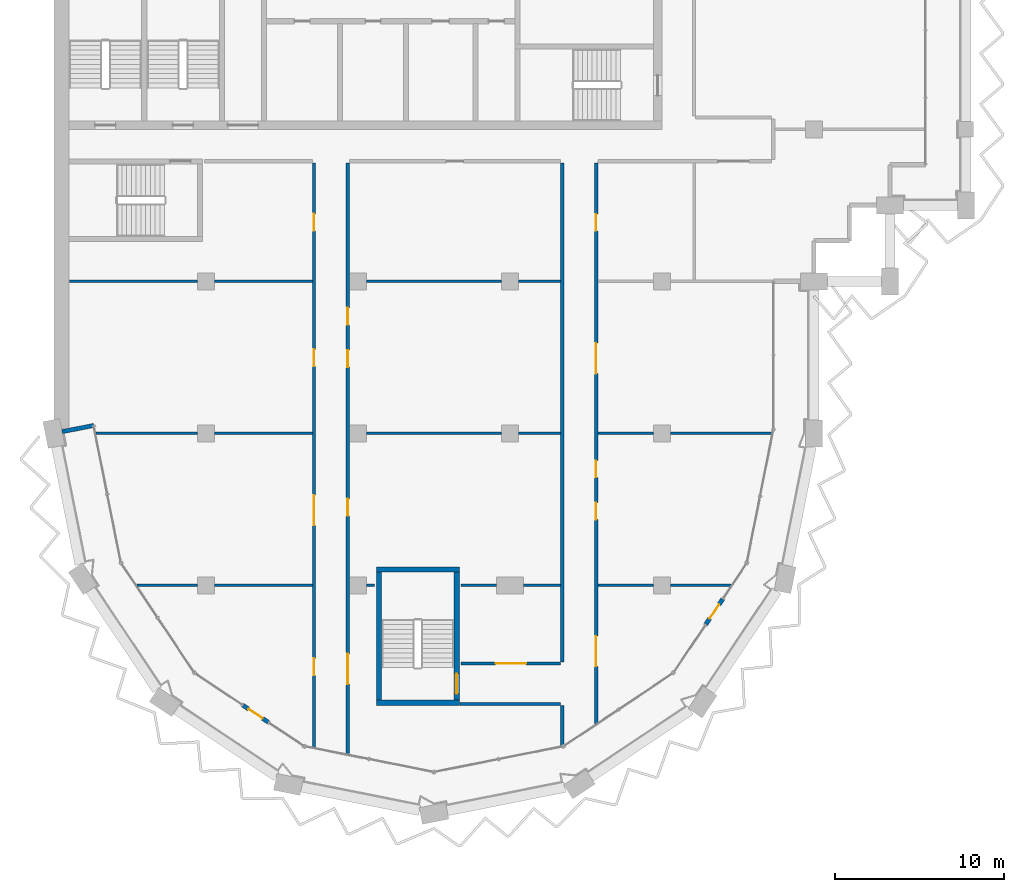
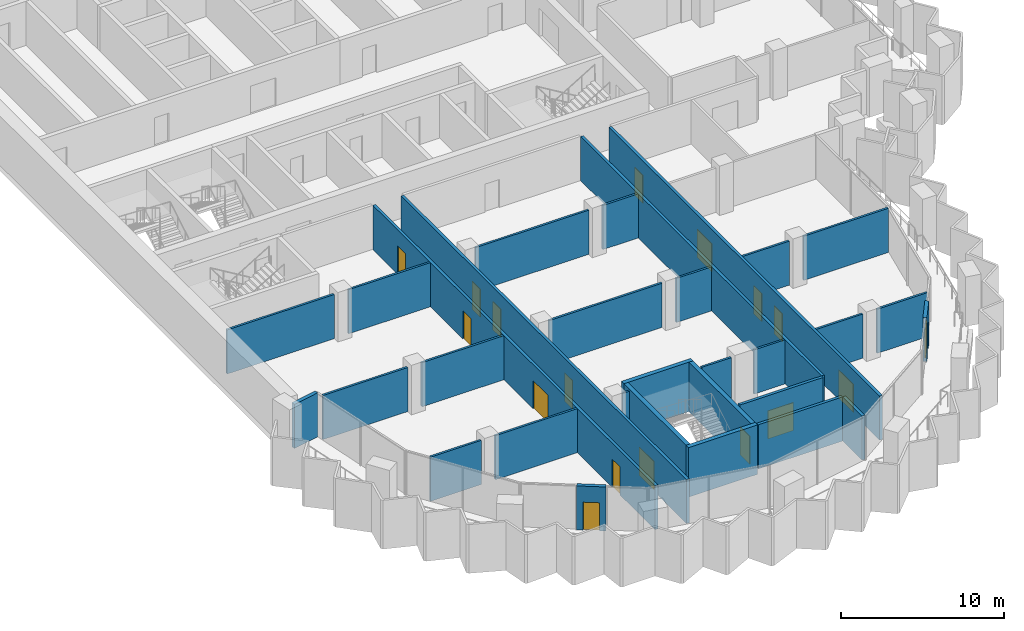
# One storey, part 7 of 16: 31 walls, 17 doors, 17 openings.
"""IFC4 building model written with IfcOpenShell, lengths in metres."""

from ifc_helpers import new_model, si_unit, direction, frame, frame_2d, origin, place, context, subcontext, project, spatial, rectangle, extrude, material, layer, layer_set, type_object, element, fill, save


model = new_model("IFC4")

# Units and contexts
model_context = context("Model", 3, precision=1e-05, world=origin(), true_north=direction((0.0, 1.0)))
body_context = subcontext(model_context, "Body", "Model", "MODEL_VIEW")
ifc_project = project(units=[si_unit("LENGTHUNIT", "METRE"), si_unit("AREAUNIT", "SQUARE_METRE"), si_unit("VOLUMEUNIT", "CUBIC_METRE"), si_unit("PLANEANGLEUNIT", "RADIAN"), si_unit("MASSUNIT", "GRAM", prefix="KILO")], contexts=[model_context])

# Site, building, storey
site_placement = place(None, origin())
site = spatial("IfcSite", under=ifc_project, at=site_placement, CompositionType="ELEMENT")
building_placement = place(site_placement, origin())
building = spatial("IfcBuilding", under=site, at=building_placement, Name="Hunhe Ridgeline Campus", CompositionType="ELEMENT")
storey_placement = place(building_placement, frame((0.0, 0.0, 250.300048828125)))
storey = spatial("IfcBuildingStorey", under=building, at=storey_placement, Name="L64", CompositionType="ELEMENT", Elevation=250.300048828125)

# Walls
ifc_material_1 = material(Name="Concrete C30", Category="concrete")
ifc_layer_1 = layer(ifc_material_1, 0.25)
ifc_layer_set_1 = layer_set([ifc_layer_1], Name="Corner return wall 250 Concrete C30")
wall_type_1 = type_object("IfcWallType", Name="Corner return wall 250 Concrete C30", PredefinedType="SOLIDWALL", material=ifc_layer_set_1)
wall_1_placement = place(storey_placement, frame((0.490234375, 45.098388671875, 0.0), z_axis=(0.0, 0.0, 1.0), x_axis=(0.980836699013, 0.194831644939, 0.0)))
element("IfcWall", 1, at=wall_1_placement, inside=storey, type_object=wall_type_1, Name="Corner return wall 1", PredefinedType="SOLIDWALL", context=body_context, shape_type="SweptSolid", body=[
    extrude(rectangle(XDim=1.90087890625, YDim=0.25, at=frame_2d((0.950439453125, 0.0))), origin(), (0.0, 0.0, 1.0), 3.300048828125),
])
ifc_material_2 = material(Name="Gypsum board partition")
ifc_layer_2 = layer(ifc_material_2, 0.199951171875)
ifc_layer_set_2 = layer_set([ifc_layer_2], Name="Corridor partition 200 gypsum board on steel studs")
wall_type_2 = type_object("IfcWallType", Name="Corridor partition 200 gypsum board on steel studs", PredefinedType="PARTITIONING", material=ifc_layer_set_2)
wall_2_placement = place(storey_placement, frame((30.0, 28.97509765625, 0.0), z_axis=(0.0, 0.0, 1.0), x_axis=(-1.0, 0.0, 0.0)))
element("IfcWall", 2, at=wall_2_placement, inside=storey, type_object=wall_type_2, Name="F-L64-wall-001", PredefinedType="PARTITIONING", context=body_context, shape_type="SweptSolid", body=[
    extrude(rectangle(XDim=5.969970703125, YDim=0.199951171875, at=frame_2d((2.98486328125, 0.0))), origin(), (0.0, 0.0, 1.0), 3.300048828125),
])

# Wall, opening, door
wall_3_placement = place(storey_placement, frame((24.10400390625, 31.375, 0.0), z_axis=(0.0, 0.0, 1.0), x_axis=(1.0, 0.0, 0.0)))
wall_3 = element("IfcWall", 3, at=wall_3_placement, inside=storey, type_object=wall_type_2, Name="F-L64-wall-002", PredefinedType="PARTITIONING", context=body_context, shape_type="SweptSolid", body=[
    extrude(rectangle(XDim=5.89599609375, YDim=0.199951171875, at=frame_2d((2.947998046875, 0.0))), origin(), (0.0, 0.0, 1.0), 3.300048828125),
])
opening_1_placement = place(wall_3_placement, frame((2.048095703125, 0.0, 0.0)))
opening_1 = element("IfcOpeningElement", 4, at=opening_1_placement, cuts=wall_3, Name="Opening RD2-003", PredefinedType="OPENING", context=body_context, shape_type="SweptSolid", body=[
    extrude(rectangle(XDim=1.800048828125, YDim=2.10009765625, at=frame_2d((0.89990234375, 1.050048828125))), frame((0.0, 0.10009765625, 0.0), z_axis=(0.0, -1.0, 0.0), x_axis=(1.0, 0.0, 0.0)), (0.0, 0.0, 1.0), 0.199951171875),
])
ifc_material_3 = material(Name="Timber door leaf", Category="wood")
door_type_1 = type_object("IfcDoorType", Name="Double fire door 1800x2100 timber FD60", OperationType="DOUBLE_DOOR_SINGLE_SWING", PredefinedType="DOOR", material=ifc_material_3)
door_1_placement = place(opening_1_placement, origin())
door_1 = element("IfcDoor", 5, at=door_1_placement, inside=storey, type_object=door_type_1, Name="F-L64-door-003", OperationType="DOUBLE_DOOR_SINGLE_SWING", OverallHeight=2.10009765625, OverallWidth=1.800048828125, PredefinedType="DOOR", context=body_context, shape_type="SweptSolid", body=[
    extrude(rectangle(XDim=1.800048828125, YDim=2.10009765625, at=frame_2d((0.89990234375, 1.050048828125))), frame((0.0, 0.02490234375, 0.0), z_axis=(0.0, -1.0, 0.0), x_axis=(1.0, 0.0, 0.0)), (0.0, 0.0, 1.0), 0.050048828125),
])
fill(opening_1, door_1)

# Wall, openings, doors
wall_4_placement = place(storey_placement, frame((15.39990234375, 26.415283203125, 0.0), z_axis=(0.0, 0.0, 1.0), x_axis=(0.0, 1.0, 0.0)))
wall_4 = element("IfcWall", 6, at=wall_4_placement, inside=storey, type_object=wall_type_2, Name="F-L64-wall-033", PredefinedType="PARTITIONING", context=body_context, shape_type="SweptSolid", body=[
    extrude(rectangle(XDim=34.584716796875, YDim=0.199951171875, at=frame_2d((17.29248046875, 0.0))), origin(), (0.0, 0.0, 1.0), 3.300048828125),
])
opening_2_placement = place(wall_4_placement, frame((4.26171875, 0.0, 0.0)))
opening_2 = element("IfcOpeningElement", 7, at=opening_2_placement, cuts=wall_4, Name="Opening RD1-002", PredefinedType="OPENING", context=body_context, shape_type="SweptSolid", body=[
    extrude(rectangle(XDim=1.0, YDim=2.10009765625, at=frame_2d((0.5, 1.050048828125))), frame((0.0, 0.10009765625, 0.0), z_axis=(0.0, -1.0, 0.0), x_axis=(1.0, 0.0, 0.0)), (0.0, 0.0, 1.0), 0.199951171875),
])
opening_3_placement = place(wall_4_placement, frame((13.13427734375, 0.0, 0.0)))
opening_3 = element("IfcOpeningElement", 8, at=opening_3_placement, cuts=wall_4, Name="Opening RD2-005", PredefinedType="OPENING", context=body_context, shape_type="SweptSolid", body=[
    extrude(rectangle(XDim=1.800048828125, YDim=2.10009765625, at=frame_2d((0.89990234375, 1.050048828125))), frame((0.0, 0.10009765625, 0.0), z_axis=(0.0, -1.0, 0.0), x_axis=(1.0, 0.0, 0.0)), (0.0, 0.0, 1.0), 0.199951171875),
])
opening_4_placement = place(wall_4_placement, frame((22.556396484375, 0.0, 0.0)))
opening_4 = element("IfcOpeningElement", 9, at=opening_4_placement, cuts=wall_4, Name="Opening RD1-011", PredefinedType="OPENING", context=body_context, shape_type="SweptSolid", body=[
    extrude(rectangle(XDim=1.0, YDim=2.10009765625, at=frame_2d((0.5, 1.050048828125))), frame((0.0, 0.10009765625, 0.0), z_axis=(0.0, -1.0, 0.0), x_axis=(1.0, 0.0, 0.0)), (0.0, 0.0, 1.0), 0.199951171875),
])
opening_5_placement = place(wall_4_placement, frame((30.575927734375, 0.0, 0.0)))
opening_5 = element("IfcOpeningElement", 10, at=opening_5_placement, cuts=wall_4, Name="Opening RD1-013", PredefinedType="OPENING", context=body_context, shape_type="SweptSolid", body=[
    extrude(rectangle(XDim=1.0, YDim=2.10009765625, at=frame_2d((0.5, 1.050048828125))), frame((0.0, 0.10009765625, 0.0), z_axis=(0.0, -1.0, 0.0), x_axis=(1.0, 0.0, 0.0)), (0.0, 0.0, 1.0), 0.199951171875),
])
door_2_placement = place(opening_3_placement, origin())
door_2 = element("IfcDoor", 11, at=door_2_placement, inside=storey, type_object=door_type_1, Name="F-L64-door-005", OperationType="DOUBLE_DOOR_SINGLE_SWING", OverallHeight=2.10009765625, OverallWidth=1.800048828125, PredefinedType="DOOR", context=body_context, shape_type="SweptSolid", body=[
    extrude(rectangle(XDim=1.800048828125, YDim=2.10009765625, at=frame_2d((0.89990234375, 1.050048828125))), frame((0.0, 0.02490234375, 0.0), z_axis=(0.0, -1.0, 0.0), x_axis=(1.0, 0.0, 0.0)), (0.0, 0.0, 1.0), 0.050048828125),
])
fill(opening_3, door_2)
door_type_2 = type_object("IfcDoorType", Name="Single fire door 1000x2100 timber FD60", OperationType="NOTDEFINED", PredefinedType="DOOR", material=ifc_material_3)
door_3_placement = place(opening_2_placement, origin())
door_3 = element("IfcDoor", 12, at=door_3_placement, inside=storey, type_object=door_type_2, Name="F-L64-door-002", OperationType="SINGLE_SWING_RIGHT", OverallHeight=2.10009765625, OverallWidth=1.0, PredefinedType="DOOR", context=body_context, shape_type="SweptSolid", body=[
    extrude(rectangle(XDim=1.0, YDim=2.10009765625, at=frame_2d((0.5, 1.050048828125))), frame((0.0, 0.02490234375, 0.0), z_axis=(0.0, -1.0, 0.0), x_axis=(1.0, 0.0, 0.0)), (0.0, 0.0, 1.0), 0.050048828125),
])
fill(opening_2, door_3)
door_4_placement = place(opening_4_placement, origin())
door_4 = element("IfcDoor", 13, at=door_4_placement, inside=storey, type_object=door_type_2, Name="F-L64-door-011", OperationType="SINGLE_SWING_RIGHT", OverallHeight=2.10009765625, OverallWidth=1.0, PredefinedType="DOOR", context=body_context, shape_type="SweptSolid", body=[
    extrude(rectangle(XDim=1.0, YDim=2.10009765625, at=frame_2d((0.5, 1.050048828125))), frame((0.0, 0.02490234375, 0.0), z_axis=(0.0, -1.0, 0.0), x_axis=(1.0, 0.0, 0.0)), (0.0, 0.0, 1.0), 0.050048828125),
])
fill(opening_4, door_4)
door_5_placement = place(opening_5_placement, origin())
door_5 = element("IfcDoor", 14, at=door_5_placement, inside=storey, type_object=door_type_2, Name="F-L64-door-013", OperationType="SINGLE_SWING_RIGHT", OverallHeight=2.10009765625, OverallWidth=1.0, PredefinedType="DOOR", context=body_context, shape_type="SweptSolid", body=[
    extrude(rectangle(XDim=1.0, YDim=2.10009765625, at=frame_2d((0.5, 1.050048828125))), frame((0.0, 0.02490234375, 0.0), z_axis=(0.0, -1.0, 0.0), x_axis=(1.0, 0.0, 0.0)), (0.0, 0.0, 1.0), 0.050048828125),
])
fill(opening_5, door_5)

wall_5_placement = place(storey_placement, frame((17.39990234375, 61.0, 0.0), z_axis=(0.0, 0.0, 1.0), x_axis=(0.0, -1.0, 0.0)))
wall_5 = element("IfcWall", 15, at=wall_5_placement, inside=storey, type_object=wall_type_2, Name="F-L64-wall-034", PredefinedType="PARTITIONING", context=body_context, shape_type="SweptSolid", body=[
    extrude(rectangle(XDim=34.982421875, YDim=0.199951171875, at=frame_2d((17.4912109375, 0.0))), origin(), (0.0, 0.0, 1.0), 3.300048828125),
])
opening_6_placement = place(wall_5_placement, frame((29.049072265625, 0.0, 0.0)))
opening_6 = element("IfcOpeningElement", 16, at=opening_6_placement, cuts=wall_5, Name="Opening RD2-001", PredefinedType="OPENING", context=body_context, shape_type="SweptSolid", body=[
    extrude(rectangle(XDim=1.800048828125, YDim=2.10009765625, at=frame_2d((0.89990234375, 1.050048828125))), frame((0.0, 0.10009765625, 0.0), z_axis=(0.0, -1.0, 0.0), x_axis=(1.0, 0.0, 0.0)), (0.0, 0.0, 1.0), 0.199951171875),
])
opening_7_placement = place(wall_5_placement, frame((19.885498046875, 0.0, 0.0)))
opening_7 = element("IfcOpeningElement", 17, at=opening_7_placement, cuts=wall_5, Name="Opening RD1-007", PredefinedType="OPENING", context=body_context, shape_type="SweptSolid", body=[
    extrude(rectangle(XDim=1.0, YDim=2.10009765625, at=frame_2d((0.5, 1.050048828125))), frame((0.0, 0.10009765625, 0.0), z_axis=(0.0, -1.0, 0.0), x_axis=(1.0, 0.0, 0.0)), (0.0, 0.0, 1.0), 0.199951171875),
])
opening_8_placement = place(wall_5_placement, frame((11.076904296875, 0.0, 0.0)))
opening_8 = element("IfcOpeningElement", 18, at=opening_8_placement, cuts=wall_5, Name="Opening RD1-009", PredefinedType="OPENING", context=body_context, shape_type="SweptSolid", body=[
    extrude(rectangle(XDim=1.0, YDim=2.10009765625, at=frame_2d((0.5, 1.050048828125))), frame((0.0, 0.10009765625, 0.0), z_axis=(0.0, -1.0, 0.0), x_axis=(1.0, 0.0, 0.0)), (0.0, 0.0, 1.0), 0.199951171875),
])
opening_9_placement = place(wall_5_placement, frame((8.576904296875, 0.0, 0.0)))
opening_9 = element("IfcOpeningElement", 19, at=opening_9_placement, cuts=wall_5, Name="Opening RD1-012", PredefinedType="OPENING", context=body_context, shape_type="SweptSolid", body=[
    extrude(rectangle(XDim=1.0, YDim=2.10009765625, at=frame_2d((0.5, 1.050048828125))), frame((0.0, 0.10009765625, 0.0), z_axis=(0.0, -1.0, 0.0), x_axis=(1.0, 0.0, 0.0)), (0.0, 0.0, 1.0), 0.199951171875),
])
door_6_placement = place(opening_6_placement, origin())
door_6 = element("IfcDoor", 20, at=door_6_placement, inside=storey, type_object=door_type_1, Name="F-L64-door-001", OperationType="DOUBLE_DOOR_SINGLE_SWING", OverallHeight=2.10009765625, OverallWidth=1.800048828125, PredefinedType="DOOR", context=body_context, shape_type="SweptSolid", body=[
    extrude(rectangle(XDim=1.800048828125, YDim=2.10009765625, at=frame_2d((0.89990234375, 1.050048828125))), frame((0.0, 0.02490234375, 0.0), z_axis=(0.0, -1.0, 0.0), x_axis=(1.0, 0.0, 0.0)), (0.0, 0.0, 1.0), 0.050048828125),
])
fill(opening_6, door_6)
door_7_placement = place(opening_7_placement, origin())
door_7 = element("IfcDoor", 21, at=door_7_placement, inside=storey, type_object=door_type_2, Name="F-L64-door-007", OperationType="SINGLE_SWING_RIGHT", OverallHeight=2.10009765625, OverallWidth=1.0, PredefinedType="DOOR", context=body_context, shape_type="SweptSolid", body=[
    extrude(rectangle(XDim=1.0, YDim=2.10009765625, at=frame_2d((0.5, 1.050048828125))), frame((0.0, 0.02490234375, 0.0), z_axis=(0.0, -1.0, 0.0), x_axis=(1.0, 0.0, 0.0)), (0.0, 0.0, 1.0), 0.050048828125),
])
fill(opening_7, door_7)
door_8_placement = place(opening_8_placement, frame((1.0, 0.0, 0.0), z_axis=(0.0, 0.0, 1.0), x_axis=(-1.0, 0.0, 0.0)))
door_8 = element("IfcDoor", 22, at=door_8_placement, inside=storey, type_object=door_type_2, Name="F-L64-door-009", OperationType="SINGLE_SWING_RIGHT", OverallHeight=2.10009765625, OverallWidth=1.0, PredefinedType="DOOR", context=body_context, shape_type="SweptSolid", body=[
    extrude(rectangle(XDim=1.0, YDim=2.10009765625, at=frame_2d((0.5, 1.050048828125))), frame((0.0, 0.02490234375, 0.0), z_axis=(0.0, -1.0, 0.0), x_axis=(1.0, 0.0, 0.0)), (0.0, 0.0, 1.0), 0.050048828125),
])
fill(opening_8, door_8)
door_9_placement = place(opening_9_placement, frame((1.0, 0.0, 0.0), z_axis=(0.0, 0.0, 1.0), x_axis=(-1.0, 0.0, 0.0)))
door_9 = element("IfcDoor", 23, at=door_9_placement, inside=storey, type_object=door_type_2, Name="F-L64-door-012", OperationType="SINGLE_SWING_RIGHT", OverallHeight=2.10009765625, OverallWidth=1.0, PredefinedType="DOOR", context=body_context, shape_type="SweptSolid", body=[
    extrude(rectangle(XDim=1.0, YDim=2.10009765625, at=frame_2d((0.5, 1.050048828125))), frame((0.0, 0.02490234375, 0.0), z_axis=(0.0, -1.0, 0.0), x_axis=(1.0, 0.0, 0.0)), (0.0, 0.0, 1.0), 0.050048828125),
])
fill(opening_9, door_9)

# Walls
wall_6_placement = place(storey_placement, frame((30.10009765625, 26.514892578125, 0.0), z_axis=(0.0, 0.0, 1.0), x_axis=(0.0, 1.0, 0.0)))
element("IfcWall", 24, at=wall_6_placement, inside=storey, type_object=wall_type_2, Name="F-L64-wall-035", PredefinedType="PARTITIONING", context=body_context, shape_type="SweptSolid", body=[
    extrude(rectangle(XDim=2.360107421875, YDim=0.199951171875, at=frame_2d((1.18017578125, 0.0))), origin(), (0.0, 0.0, 1.0), 3.300048828125),
])
wall_7_placement = place(storey_placement, frame((30.10009765625, 31.47509765625, 0.0), z_axis=(0.0, 0.0, 1.0), x_axis=(0.0, 1.0, 0.0)))
element("IfcWall", 25, at=wall_7_placement, inside=storey, type_object=wall_type_2, Name="F-L64-wall-036", PredefinedType="PARTITIONING", context=body_context, shape_type="SweptSolid", body=[
    extrude(rectangle(XDim=29.52490234375, YDim=0.199951171875, at=frame_2d((14.762451171875, 0.0))), origin(), (0.0, 0.0, 1.0), 3.300048828125),
])

# Wall, openings, doors
wall_8_placement = place(storey_placement, frame((32.10009765625, 61.0, 0.0), z_axis=(0.0, 0.0, 1.0), x_axis=(0.0, -1.0, 0.0)))
wall_8 = element("IfcWall", 26, at=wall_8_placement, inside=storey, type_object=wall_type_2, Name="F-L64-wall-037", PredefinedType="PARTITIONING", context=body_context, shape_type="SweptSolid", body=[
    extrude(rectangle(XDim=33.17333984375, YDim=0.199951171875, at=frame_2d((16.586669921875, 0.0))), origin(), (0.0, 0.0, 1.0), 3.300048828125),
])
opening_10_placement = place(wall_8_placement, frame((28.001220703125, 0.0, 0.0)))
opening_10 = element("IfcOpeningElement", 27, at=opening_10_placement, cuts=wall_8, Name="Opening RD2-004", PredefinedType="OPENING", context=body_context, shape_type="SweptSolid", body=[
    extrude(rectangle(XDim=1.800048828125, YDim=2.10009765625, at=frame_2d((0.89990234375, 1.050048828125))), frame((0.0, 0.10009765625, 0.0), z_axis=(0.0, -1.0, 0.0), x_axis=(1.0, 0.0, 0.0)), (0.0, 0.0, 1.0), 0.199951171875),
])
opening_11_placement = place(wall_8_placement, frame((20.107666015625, 0.0, 0.0)))
opening_11 = element("IfcOpeningElement", 28, at=opening_11_placement, cuts=wall_8, Name="Opening RD1-006", PredefinedType="OPENING", context=body_context, shape_type="SweptSolid", body=[
    extrude(rectangle(XDim=1.0, YDim=2.10009765625, at=frame_2d((0.5, 1.050048828125))), frame((0.0, 0.10009765625, 0.0), z_axis=(0.0, -1.0, 0.0), x_axis=(1.0, 0.0, 0.0)), (0.0, 0.0, 1.0), 0.199951171875),
])
opening_12_placement = place(wall_8_placement, frame((17.607666015625, 0.0, 0.0)))
opening_12 = element("IfcOpeningElement", 29, at=opening_12_placement, cuts=wall_8, Name="Opening RD1-008", PredefinedType="OPENING", context=body_context, shape_type="SweptSolid", body=[
    extrude(rectangle(XDim=1.0, YDim=2.10009765625, at=frame_2d((0.5, 1.050048828125))), frame((0.0, 0.10009765625, 0.0), z_axis=(0.0, -1.0, 0.0), x_axis=(1.0, 0.0, 0.0)), (0.0, 0.0, 1.0), 0.199951171875),
])
opening_13_placement = place(wall_8_placement, frame((10.660400390625, 0.0, 0.0)))
opening_13 = element("IfcOpeningElement", 30, at=opening_13_placement, cuts=wall_8, Name="Opening RD2-010", PredefinedType="OPENING", context=body_context, shape_type="SweptSolid", body=[
    extrude(rectangle(XDim=1.800048828125, YDim=2.10009765625, at=frame_2d((0.89990234375, 1.050048828125))), frame((0.0, 0.10009765625, 0.0), z_axis=(0.0, -1.0, 0.0), x_axis=(1.0, 0.0, 0.0)), (0.0, 0.0, 1.0), 0.199951171875),
])
opening_14_placement = place(wall_8_placement, frame((3.018310546875, 0.0, 0.0)))
opening_14 = element("IfcOpeningElement", 31, at=opening_14_placement, cuts=wall_8, Name="Opening RD1-014", PredefinedType="OPENING", context=body_context, shape_type="SweptSolid", body=[
    extrude(rectangle(XDim=1.0, YDim=2.10009765625, at=frame_2d((0.5, 1.050048828125))), frame((0.0, 0.10009765625, 0.0), z_axis=(0.0, -1.0, 0.0), x_axis=(1.0, 0.0, 0.0)), (0.0, 0.0, 1.0), 0.199951171875),
])
door_10_placement = place(opening_10_placement, origin())
door_10 = element("IfcDoor", 32, at=door_10_placement, inside=storey, type_object=door_type_1, Name="F-L64-door-004", OperationType="DOUBLE_DOOR_SINGLE_SWING", OverallHeight=2.10009765625, OverallWidth=1.800048828125, PredefinedType="DOOR", context=body_context, shape_type="SweptSolid", body=[
    extrude(rectangle(XDim=1.800048828125, YDim=2.10009765625, at=frame_2d((0.89990234375, 1.050048828125))), frame((0.0, 0.02490234375, 0.0), z_axis=(0.0, -1.0, 0.0), x_axis=(1.0, 0.0, 0.0)), (0.0, 0.0, 1.0), 0.050048828125),
])
fill(opening_10, door_10)
door_11_placement = place(opening_13_placement, origin())
door_11 = element("IfcDoor", 33, at=door_11_placement, inside=storey, type_object=door_type_1, Name="F-L64-door-010", OperationType="DOUBLE_DOOR_SINGLE_SWING", OverallHeight=2.10009765625, OverallWidth=1.800048828125, PredefinedType="DOOR", context=body_context, shape_type="SweptSolid", body=[
    extrude(rectangle(XDim=1.800048828125, YDim=2.10009765625, at=frame_2d((0.89990234375, 1.050048828125))), frame((0.0, 0.02490234375, 0.0), z_axis=(0.0, -1.0, 0.0), x_axis=(1.0, 0.0, 0.0)), (0.0, 0.0, 1.0), 0.050048828125),
])
fill(opening_13, door_11)
door_12_placement = place(opening_11_placement, frame((1.0, 0.0, 0.0), z_axis=(0.0, 0.0, 1.0), x_axis=(-1.0, 0.0, 0.0)))
door_12 = element("IfcDoor", 34, at=door_12_placement, inside=storey, type_object=door_type_2, Name="F-L64-door-006", OperationType="SINGLE_SWING_RIGHT", OverallHeight=2.10009765625, OverallWidth=1.0, PredefinedType="DOOR", context=body_context, shape_type="SweptSolid", body=[
    extrude(rectangle(XDim=1.0, YDim=2.10009765625, at=frame_2d((0.5, 1.050048828125))), frame((0.0, 0.02490234375, 0.0), z_axis=(0.0, -1.0, 0.0), x_axis=(1.0, 0.0, 0.0)), (0.0, 0.0, 1.0), 0.050048828125),
])
fill(opening_11, door_12)
door_13_placement = place(opening_12_placement, frame((1.0, 0.0, 0.0), z_axis=(0.0, 0.0, 1.0), x_axis=(-1.0, 0.0, 0.0)))
door_13 = element("IfcDoor", 35, at=door_13_placement, inside=storey, type_object=door_type_2, Name="F-L64-door-008", OperationType="SINGLE_SWING_RIGHT", OverallHeight=2.10009765625, OverallWidth=1.0, PredefinedType="DOOR", context=body_context, shape_type="SweptSolid", body=[
    extrude(rectangle(XDim=1.0, YDim=2.10009765625, at=frame_2d((0.5, 1.050048828125))), frame((0.0, 0.02490234375, 0.0), z_axis=(0.0, -1.0, 0.0), x_axis=(1.0, 0.0, 0.0)), (0.0, 0.0, 1.0), 0.050048828125),
])
fill(opening_12, door_13)
door_14_placement = place(opening_14_placement, origin())
door_14 = element("IfcDoor", 36, at=door_14_placement, inside=storey, type_object=door_type_2, Name="F-L64-door-014", OperationType="SINGLE_SWING_RIGHT", OverallHeight=2.10009765625, OverallWidth=1.0, PredefinedType="DOOR", context=body_context, shape_type="SweptSolid", body=[
    extrude(rectangle(XDim=1.0, YDim=2.10009765625, at=frame_2d((0.5, 1.050048828125))), frame((0.0, 0.02490234375, 0.0), z_axis=(0.0, -1.0, 0.0), x_axis=(1.0, 0.0, 0.0)), (0.0, 0.0, 1.0), 0.050048828125),
])
fill(opening_14, door_14)

# Wall, opening, door
ifc_layer_3 = layer(ifc_material_1, 0.25)
ifc_layer_set_3 = layer_set([ifc_layer_3], Name="Loggia door pier wall 250 Concrete C30")
wall_type_3 = type_object("IfcWallType", Name="Loggia door pier wall 250 Concrete C30", PredefinedType="SOLIDWALL", material=ifc_layer_set_3)
wall_9_placement = place(storey_placement, frame((11.19970703125, 28.897705078125, 0.0), z_axis=(0.0, 0.0, 1.0), x_axis=(0.83146554274, -0.555576323502, 0.0)))
wall_9 = element("IfcWall", 37, at=wall_9_placement, inside=storey, type_object=wall_type_3, Name="Loggia door pier 1", PredefinedType="SOLIDWALL", context=body_context, shape_type="SweptSolid", body=[
    extrude(rectangle(XDim=1.800048828125, YDim=0.25, at=frame_2d((0.89990234375, 0.0))), origin(), (0.0, 0.0, 1.0), 3.300048828125),
])
opening_15_placement = place(wall_9_placement, frame((0.39990234375, 0.0, 0.0)))
opening_15 = element("IfcOpeningElement", 38, at=opening_15_placement, cuts=wall_9, Name="Opening BD502", PredefinedType="OPENING", context=body_context, shape_type="SweptSolid", body=[
    extrude(rectangle(XDim=1.0, YDim=2.10009765625, at=frame_2d((0.5, 1.050048828125))), frame((0.0, 0.125, 0.0), z_axis=(0.0, -1.0, 0.0), x_axis=(1.0, 0.0, 0.0)), (0.0, 0.0, 1.0), 0.25),
])
ifc_material_4 = material(Name="Aluminium 6063", Category="aluminium")
door_type_3 = type_object("IfcDoorType", Name="Loggia glazed door 1000x2100", OperationType="NOTDEFINED", PredefinedType="DOOR", material=ifc_material_4)
door_15_placement = place(opening_15_placement, frame((1.0, 0.0, 0.0), z_axis=(0.0, 0.0, 1.0), x_axis=(-1.0, 0.0, 0.0)))
door_15 = element("IfcDoor", 39, at=door_15_placement, inside=storey, type_object=door_type_3, Name="Loggia door BD502", OperationType="SINGLE_SWING_LEFT", OverallHeight=2.10009765625, OverallWidth=1.0, PredefinedType="DOOR", context=body_context, shape_type="SweptSolid", body=[
    extrude(rectangle(XDim=1.0, YDim=2.10009765625, at=frame_2d((0.5, 1.050048828125))), frame((0.0, 0.02490234375, 0.0), z_axis=(0.0, -1.0, 0.0), x_axis=(1.0, 0.0, 0.0)), (0.0, 0.0, 1.0), 0.050048828125),
])
fill(opening_15, door_15)

wall_10_placement = place(storey_placement, frame((38.602294921875, 33.69970703125, 0.0), z_axis=(0.0, 0.0, 1.0), x_axis=(0.555576323502, 0.83146554274, 0.0)))
wall_10 = element("IfcWall", 40, at=wall_10_placement, inside=storey, type_object=wall_type_3, Name="Loggia door pier 2", PredefinedType="SOLIDWALL", context=body_context, shape_type="SweptSolid", body=[
    extrude(rectangle(XDim=1.800048828125, YDim=0.25, at=frame_2d((0.89990234375, 0.0))), origin(), (0.0, 0.0, 1.0), 3.300048828125),
])
opening_16_placement = place(wall_10_placement, frame((0.39990234375, 0.0, 0.0)))
opening_16 = element("IfcOpeningElement", 41, at=opening_16_placement, cuts=wall_10, Name="Opening BD504", PredefinedType="OPENING", context=body_context, shape_type="SweptSolid", body=[
    extrude(rectangle(XDim=1.0, YDim=2.10009765625, at=frame_2d((0.5, 1.050048828125))), frame((0.0, 0.125, 0.0), z_axis=(0.0, -1.0, 0.0), x_axis=(1.0, 0.0, 0.0)), (0.0, 0.0, 1.0), 0.25),
])
door_16_placement = place(opening_16_placement, frame((1.0, 0.0, 0.0), z_axis=(0.0, 0.0, 1.0), x_axis=(-1.0, 0.0, 0.0)))
door_16 = element("IfcDoor", 42, at=door_16_placement, inside=storey, type_object=door_type_3, Name="Loggia door BD504", OperationType="SINGLE_SWING_LEFT", OverallHeight=2.10009765625, OverallWidth=1.0, PredefinedType="DOOR", context=body_context, shape_type="SweptSolid", body=[
    extrude(rectangle(XDim=1.0, YDim=2.10009765625, at=frame_2d((0.5, 1.050048828125))), frame((0.0, 0.02490234375, 0.0), z_axis=(0.0, -1.0, 0.0), x_axis=(1.0, 0.0, 0.0)), (0.0, 0.0, 1.0), 0.050048828125),
])
fill(opening_16, door_16)

# Walls
ifc_layer_4 = layer(ifc_material_2, 0.14990234375)
ifc_layer_set_4 = layer_set([ifc_layer_4], Name="Room partition 150 gypsum board on steel studs")
wall_type_4 = type_object("IfcWallType", Name="Room partition 150 gypsum board on steel studs", PredefinedType="PARTITIONING", material=ifc_layer_set_4)
wall_11_placement = place(storey_placement, frame((4.925537109375, 36.0, 0.0), z_axis=(0.0, 0.0, 1.0), x_axis=(1.0, 0.0, 0.0)))
element("IfcWall", 43, at=wall_11_placement, inside=storey, type_object=wall_type_4, Name="F-L64-wall-003", PredefinedType="PARTITIONING", context=body_context, shape_type="SweptSolid", body=[
    extrude(rectangle(XDim=3.574462890625, YDim=0.14990234375, at=frame_2d((1.787109375, 0.0))), origin(), (0.0, 0.0, 1.0), 3.300048828125),
])
wall_12_placement = place(storey_placement, frame((9.5, 36.0, 0.0), z_axis=(0.0, 0.0, 1.0), x_axis=(1.0, 0.0, 0.0)))
element("IfcWall", 44, at=wall_12_placement, inside=storey, type_object=wall_type_4, Name="F-L64-wall-004", PredefinedType="PARTITIONING", context=body_context, shape_type="SweptSolid", body=[
    extrude(rectangle(XDim=5.800048828125, YDim=0.14990234375, at=frame_2d((2.89990234375, 0.0))), origin(), (0.0, 0.0, 1.0), 3.300048828125),
])
wall_13_placement = place(storey_placement, frame((18.5, 36.0, 0.0), z_axis=(0.0, 0.0, 1.0), x_axis=(1.0, 0.0, 0.0)))
element("IfcWall", 45, at=wall_13_placement, inside=storey, type_object=wall_type_4, Name="F-L64-wall-005", PredefinedType="PARTITIONING", context=body_context, shape_type="SweptSolid", body=[
    extrude(rectangle(XDim=0.49609375, YDim=0.14990234375, at=frame_2d((0.248046875, 0.0))), origin(), (0.0, 0.0, 1.0), 3.300048828125),
])
wall_14_placement = place(storey_placement, frame((24.10400390625, 36.0, 0.0), z_axis=(0.0, 0.0, 1.0), x_axis=(1.0, 0.0, 0.0)))
element("IfcWall", 46, at=wall_14_placement, inside=storey, type_object=wall_type_4, Name="F-L64-wall-006", PredefinedType="PARTITIONING", context=body_context, shape_type="SweptSolid", body=[
    extrude(rectangle(XDim=2.095947265625, YDim=0.14990234375, at=frame_2d((1.0478515625, 0.0))), origin(), (0.0, 0.0, 1.0), 3.300048828125),
])
wall_15_placement = place(storey_placement, frame((27.800048828125, 36.0, 0.0), z_axis=(0.0, 0.0, 1.0), x_axis=(1.0, 0.0, 0.0)))
element("IfcWall", 47, at=wall_15_placement, inside=storey, type_object=wall_type_4, Name="F-L64-wall-007", PredefinedType="PARTITIONING", context=body_context, shape_type="SweptSolid", body=[
    extrude(rectangle(XDim=2.199951171875, YDim=0.14990234375, at=frame_2d((1.10009765625, 0.0))), origin(), (0.0, 0.0, 1.0), 3.300048828125),
])
wall_16_placement = place(storey_placement, frame((32.199951171875, 36.0, 0.0), z_axis=(0.0, 0.0, 1.0), x_axis=(1.0, 0.0, 0.0)))
element("IfcWall", 48, at=wall_16_placement, inside=storey, type_object=wall_type_4, Name="F-L64-wall-008", PredefinedType="PARTITIONING", context=body_context, shape_type="SweptSolid", body=[
    extrude(rectangle(XDim=3.300048828125, YDim=0.14990234375, at=frame_2d((1.64990234375, 0.0))), origin(), (0.0, 0.0, 1.0), 3.300048828125),
])
wall_17_placement = place(storey_placement, frame((36.5, 36.0, 0.0), z_axis=(0.0, 0.0, 1.0), x_axis=(1.0, 0.0, 0.0)))
element("IfcWall", 49, at=wall_17_placement, inside=storey, type_object=wall_type_4, Name="F-L64-wall-009", PredefinedType="PARTITIONING", context=body_context, shape_type="SweptSolid", body=[
    extrude(rectangle(XDim=3.574462890625, YDim=0.14990234375, at=frame_2d((1.787109375, 0.0))), origin(), (0.0, 0.0, 1.0), 3.300048828125),
])
wall_18_placement = place(storey_placement, frame((2.503173828125, 45.0, 0.0), z_axis=(0.0, 0.0, 1.0), x_axis=(1.0, 0.0, 0.0)))
element("IfcWall", 50, at=wall_18_placement, inside=storey, type_object=wall_type_4, Name="F-L64-wall-010", PredefinedType="PARTITIONING", context=body_context, shape_type="SweptSolid", body=[
    extrude(rectangle(XDim=5.996826171875, YDim=0.14990234375, at=frame_2d((2.99853515625, 0.0))), origin(), (0.0, 0.0, 1.0), 3.300048828125),
])
wall_19_placement = place(storey_placement, frame((9.5, 45.0, 0.0), z_axis=(0.0, 0.0, 1.0), x_axis=(1.0, 0.0, 0.0)))
element("IfcWall", 51, at=wall_19_placement, inside=storey, type_object=wall_type_4, Name="F-L64-wall-011", PredefinedType="PARTITIONING", context=body_context, shape_type="SweptSolid", body=[
    extrude(rectangle(XDim=5.800048828125, YDim=0.14990234375, at=frame_2d((2.89990234375, 0.0))), origin(), (0.0, 0.0, 1.0), 3.300048828125),
])
wall_20_placement = place(storey_placement, frame((18.5, 45.0, 0.0), z_axis=(0.0, 0.0, 1.0), x_axis=(1.0, 0.0, 0.0)))
element("IfcWall", 52, at=wall_20_placement, inside=storey, type_object=wall_type_4, Name="F-L64-wall-012", PredefinedType="PARTITIONING", context=body_context, shape_type="SweptSolid", body=[
    extrude(rectangle(XDim=8.0, YDim=0.14990234375, at=frame_2d((4.0, 0.0))), origin(), (0.0, 0.0, 1.0), 3.300048828125),
])
wall_21_placement = place(storey_placement, frame((27.5, 45.0, 0.0), z_axis=(0.0, 0.0, 1.0), x_axis=(1.0, 0.0, 0.0)))
element("IfcWall", 53, at=wall_21_placement, inside=storey, type_object=wall_type_4, Name="F-L64-wall-013", PredefinedType="PARTITIONING", context=body_context, shape_type="SweptSolid", body=[
    extrude(rectangle(XDim=2.5, YDim=0.14990234375, at=frame_2d((1.25, 0.0))), origin(), (0.0, 0.0, 1.0), 3.300048828125),
])
wall_22_placement = place(storey_placement, frame((32.199951171875, 45.0, 0.0), z_axis=(0.0, 0.0, 1.0), x_axis=(1.0, 0.0, 0.0)))
element("IfcWall", 54, at=wall_22_placement, inside=storey, type_object=wall_type_4, Name="F-L64-wall-014", PredefinedType="PARTITIONING", context=body_context, shape_type="SweptSolid", body=[
    extrude(rectangle(XDim=3.300048828125, YDim=0.14990234375, at=frame_2d((1.64990234375, 0.0))), origin(), (0.0, 0.0, 1.0), 3.300048828125),
])
wall_23_placement = place(storey_placement, frame((36.5, 45.0, 0.0), z_axis=(0.0, 0.0, 1.0), x_axis=(1.0, 0.0, 0.0)))
element("IfcWall", 55, at=wall_23_placement, inside=storey, type_object=wall_type_4, Name="F-L64-wall-015", PredefinedType="PARTITIONING", context=body_context, shape_type="SweptSolid", body=[
    extrude(rectangle(XDim=5.996826171875, YDim=0.14990234375, at=frame_2d((2.99853515625, 0.0))), origin(), (0.0, 0.0, 1.0), 3.300048828125),
])
wall_24_placement = place(storey_placement, frame((0.919921875, 54.0, 0.0), z_axis=(0.0, 0.0, 1.0), x_axis=(1.0, 0.0, 0.0)))
element("IfcWall", 56, at=wall_24_placement, inside=storey, type_object=wall_type_4, Name="F-L64-wall-016", PredefinedType="PARTITIONING", context=body_context, shape_type="SweptSolid", body=[
    extrude(rectangle(XDim=7.580078125, YDim=0.14990234375, at=frame_2d((3.7900390625, 0.0))), origin(), (0.0, 0.0, 1.0), 3.300048828125),
])
wall_25_placement = place(storey_placement, frame((9.5, 54.0, 0.0), z_axis=(0.0, 0.0, 1.0), x_axis=(1.0, 0.0, 0.0)))
element("IfcWall", 57, at=wall_25_placement, inside=storey, type_object=wall_type_4, Name="F-L64-wall-017", PredefinedType="PARTITIONING", context=body_context, shape_type="SweptSolid", body=[
    extrude(rectangle(XDim=5.800048828125, YDim=0.14990234375, at=frame_2d((2.89990234375, 0.0))), origin(), (0.0, 0.0, 1.0), 3.300048828125),
])
wall_26_placement = place(storey_placement, frame((18.5, 54.0, 0.0), z_axis=(0.0, 0.0, 1.0), x_axis=(1.0, 0.0, 0.0)))
element("IfcWall", 58, at=wall_26_placement, inside=storey, type_object=wall_type_4, Name="F-L64-wall-018", PredefinedType="PARTITIONING", context=body_context, shape_type="SweptSolid", body=[
    extrude(rectangle(XDim=8.0, YDim=0.14990234375, at=frame_2d((4.0, 0.0))), origin(), (0.0, 0.0, 1.0), 3.300048828125),
])
wall_27_placement = place(storey_placement, frame((27.5, 54.0, 0.0), z_axis=(0.0, 0.0, 1.0), x_axis=(1.0, 0.0, 0.0)))
element("IfcWall", 59, at=wall_27_placement, inside=storey, type_object=wall_type_4, Name="F-L64-wall-019", PredefinedType="PARTITIONING", context=body_context, shape_type="SweptSolid", body=[
    extrude(rectangle(XDim=2.5, YDim=0.14990234375, at=frame_2d((1.25, 0.0))), origin(), (0.0, 0.0, 1.0), 3.300048828125),
])
ifc_material_5 = material(Name="Concrete C50", Category="concrete")
ifc_layer_5 = layer(ifc_material_5, 0.300048828125)
ifc_layer_set_5 = layer_set([ifc_layer_5], Name="Stair wall 300 reinforced concrete C50")
wall_type_5 = type_object("IfcWallType", Name="Stair wall 300 reinforced concrete C50", PredefinedType="SOLIDWALL", material=ifc_layer_set_5)
for number, where, z_axis, x_axis, name in (
    (60, (19.10009765625, 29.050048828125, -0.400146484375), (0.0, 0.0, 1.0), (1.0, 0.0, 0.0), "L64 core wall 1"),
    (61, (19.10009765625, 36.949951171875, -0.400146484375), (0.0, 0.0, 1.0), (1.0, 0.0, 0.0), "L64 core wall 2"),
):
    element("IfcWall", number, at=place(storey_placement, frame(where, z_axis=z_axis, x_axis=x_axis)), inside=storey, type_object=wall_type_5, Name=name, PredefinedType="SOLIDWALL", context=body_context, shape_type="SweptSolid", body=[
        extrude(rectangle(XDim=4.89990234375, YDim=0.300048828125, at=frame_2d((2.449951171875, 0.0))), origin(), (0.0, 0.0, 1.0), 3.7001953125),
    ])
wall_28_placement = place(storey_placement, frame((19.25, 29.199951171875, -0.400146484375), z_axis=(0.0, 0.0, 1.0), x_axis=(0.0, 1.0, 0.0)))
element("IfcWall", 62, at=wall_28_placement, inside=storey, type_object=wall_type_5, Name="L64 core wall 37", PredefinedType="SOLIDWALL", context=body_context, shape_type="SweptSolid", body=[
    extrude(rectangle(XDim=7.60009765625, YDim=0.300048828125, at=frame_2d((3.800048828125, 0.0))), origin(), (0.0, 0.0, 1.0), 3.7001953125),
])

# Wall, opening, door
wall_29_placement = place(storey_placement, frame((23.85009765625, 29.199951171875, -0.400146484375), z_axis=(0.0, 0.0, 1.0), x_axis=(0.0, 1.0, 0.0)))
wall_29 = element("IfcWall", 63, at=wall_29_placement, inside=storey, type_object=wall_type_5, Name="L64 core wall 42", PredefinedType="SOLIDWALL", context=body_context, shape_type="SweptSolid", body=[
    extrude(rectangle(XDim=7.60009765625, YDim=0.300048828125, at=frame_2d((3.800048828125, 0.0))), origin(), (0.0, 0.0, 1.0), 3.7001953125),
])
opening_17_placement = place(wall_29_placement, frame((0.375, 0.0, 0.39990234375)))
opening_17 = element("IfcOpeningElement", 64, at=opening_17_placement, cuts=wall_29, Name="Opening CD23", PredefinedType="OPENING", context=body_context, shape_type="SweptSolid", body=[
    extrude(rectangle(XDim=1.199951171875, YDim=2.10009765625, at=frame_2d((0.60009765625, 1.050048828125))), frame((0.0, 0.14990234375, 0.0), z_axis=(0.0, -1.0, 0.0), x_axis=(1.0, 0.0, 0.0)), (0.0, 0.0, 1.0), 0.300048828125),
])
ifc_material_6 = material(Name="Hollow metal fire door leaf")
door_type_4 = type_object("IfcDoorType", Name="Stair door 1200x2100 FD60", OperationType="SINGLE_SWING_LEFT", PredefinedType="DOOR", material=ifc_material_6)
door_17_placement = place(opening_17_placement, frame((1.199951171875, 0.0, 0.0), z_axis=(0.0, 0.0, 1.0), x_axis=(-1.0, 0.0, 0.0)))
door_17 = element("IfcDoor", 65, at=door_17_placement, inside=storey, type_object=door_type_4, Name="L64 door W3", OperationType="SINGLE_SWING_LEFT", OverallHeight=2.10009765625, OverallWidth=1.199951171875, PredefinedType="DOOR", context=body_context, shape_type="SweptSolid", body=[
    extrude(rectangle(XDim=1.199951171875, YDim=2.10009765625, at=frame_2d((0.60009765625, 1.050048828125))), frame((0.0, 0.02490234375, 0.0), z_axis=(0.0, -1.0, 0.0), x_axis=(1.0, 0.0, 0.0)), (0.0, 0.0, 1.0), 0.050048828125),
])
fill(opening_17, door_17)

save(model, "model.ifc")
